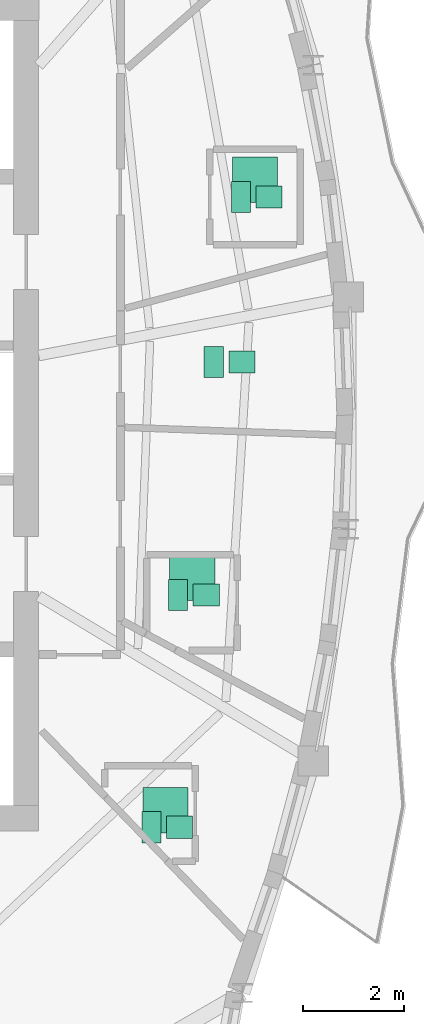
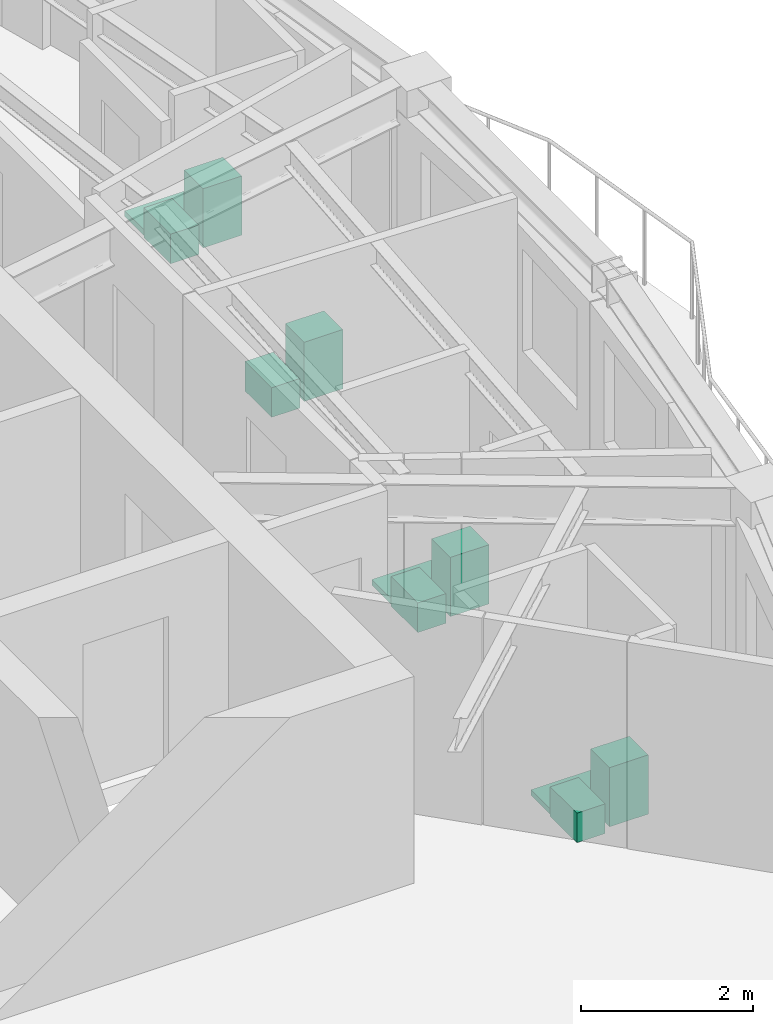
# One storey, part 14 of 14: 11 sanitary terminals.
"""IFC4 building model written with IfcOpenShell, lengths in metres."""

from ifc_helpers import new_model, si_unit, direction, frame, origin, origin_2d, place, context, subcontext, project, spatial, rectangle, extrude, source, transform, mapped, material, type_object, element, save


model = new_model("IFC4")

# Units and contexts
model_context = context("Model", 3, precision=1e-05, world=origin(), true_north=direction((0.0, 1.0)))
body_context = subcontext(model_context, "Body", "Model", "MODEL_VIEW")
ifc_project = project(units=[si_unit("LENGTHUNIT", "METRE"), si_unit("AREAUNIT", "SQUARE_METRE"), si_unit("VOLUMEUNIT", "CUBIC_METRE"), si_unit("PLANEANGLEUNIT", "RADIAN"), si_unit("MASSUNIT", "GRAM", prefix="KILO")], contexts=[model_context])

# Site, building, storey
site_placement = place(None, origin())
site = spatial("IfcSite", under=ifc_project, at=site_placement, CompositionType="ELEMENT")
building_placement = place(site_placement, origin())
building = spatial("IfcBuilding", under=site, at=building_placement, Name="Qafzar Sky-Pleat Residences", CompositionType="ELEMENT")
storey_placement = place(building_placement, frame((0.0, 0.0, 208.39990234375)))
storey = spatial("IfcBuildingStorey", under=building, at=storey_placement, Name="L62", CompositionType="ELEMENT", Elevation=208.39990234375)

# Sanitary terminals
ifc_material_1 = material(Name="Vitreous china sanitaryware")
sanitary_terminal_type_1 = type_object("IfcSanitaryTerminalType", Name="SAN-WC-PAN", PredefinedType="TOILETPAN", material=ifc_material_1)
shared_shape_1 = source(origin(), body_context, "Body", "SweptSolid", [
    extrude(rectangle(XDim=0.3798828125, YDim=0.6201171875, at=origin_2d()), origin(), (0.0, 0.0, 1.0), 0.419921875),
])
for number, where, z_axis, x_axis, name in (
    (1, (38.638916015625, 17.7705078125, 0.000244140625), (0.0, 0.0, 1.0), (1.0, 0.0, 0.0), "L62 En-suite Bathroom 1 WC Pan"),
    (2, (39.1669921875, 22.385498046875, 0.000244140625), (0.0, 0.0, 1.0), (1.0, 0.0, 0.0), "L62 En-suite Bathroom 2 WC Pan"),
    (3, (39.87646484375, 27.011474609375, 0.000244140625), (0.0, 0.0, 1.0), (1.0, 0.0, 0.0), "L62 Accessible Shared Washroom WC Pan"),
    (4, (40.4150390625, 30.2939453125, 0.000244140625), (0.0, 0.0, 1.0), (1.0, 0.0, 0.0), "L62 En-suite Bathroom 3 WC Pan"),
):
    element("IfcSanitaryTerminal", number, at=place(storey_placement, frame(where, z_axis=z_axis, x_axis=x_axis)), inside=storey, type_object=sanitary_terminal_type_1, Name=name, PredefinedType="TOILETPAN", context=body_context, shape_type="MappedRepresentation", body=[
        mapped(shared_shape_1, transform((0.0, 0.0, 0.0), x_axis=(1.0, 0.0, 0.0), y_axis=(0.0, 1.0, 0.0), z_axis=(0.0, 0.0, 1.0), scale=1.0)),
    ])
sanitary_terminal_type_2 = type_object("IfcSanitaryTerminalType", Name="SAN-BASIN", PredefinedType="WASHHANDBASIN", material=ifc_material_1)
shared_shape_2 = source(origin(), body_context, "Body", "SweptSolid", [
    extrude(rectangle(XDim=0.52001953125, YDim=0.43994140625, at=origin_2d()), origin(), (0.0, 0.0, 1.0), 0.840087890625),
])
for number, where, z_axis, x_axis, name in (
    (5, (39.198974609375, 17.7705078125, 0.0), (0.0, 0.0, 1.0), (1.0, 0.0, 0.0), "L62 En-suite Bathroom 1 Pedestal Washbasin"),
    (6, (39.72705078125, 22.385498046875, 0.0), (0.0, 0.0, 1.0), (1.0, 0.0, 0.0), "L62 En-suite Bathroom 2 Pedestal Washbasin"),
    (7, (40.4365234375, 27.011474609375, 0.0), (0.0, 0.0, 1.0), (1.0, 0.0, 0.0), "L62 Accessible Shared Washroom Pedestal Washbasin"),
    (8, (40.97509765625, 30.2939453125, 0.0), (0.0, 0.0, 1.0), (1.0, 0.0, 0.0), "L62 En-suite Bathroom 3 Pedestal Washbasin"),
):
    element("IfcSanitaryTerminal", number, at=place(storey_placement, frame(where, z_axis=z_axis, x_axis=x_axis)), inside=storey, type_object=sanitary_terminal_type_2, Name=name, PredefinedType="WASHHANDBASIN", context=body_context, shape_type="MappedRepresentation", body=[
        mapped(shared_shape_2, transform((0.0, 0.0, 0.0), x_axis=(1.0, 0.0, 0.0), y_axis=(0.0, 1.0, 0.0), z_axis=(0.0, 0.0, 1.0), scale=1.0)),
    ])
ifc_material_2 = material(Name="Vitreous china and acrylic tray")
sanitary_terminal_type_3 = type_object("IfcSanitaryTerminalType", Name="SAN-SHOWER", PredefinedType="SHOWER", material=ifc_material_2)
shared_shape_3 = source(origin(), body_context, "Body", "SweptSolid", [
    extrude(rectangle(XDim=0.89990234375, YDim=0.89990234375, at=origin_2d()), origin(), (0.0, 0.0, 1.0), 0.080078125),
])
for number, where, z_axis, x_axis, name in (
    (9, (38.9189453125, 18.110595703125, 0.0), (0.0, 0.0, 1.0), (1.0, 0.0, 0.0), "L62 En-suite Bathroom 1 Walk-In Shower"),
    (10, (39.447021484375, 22.7255859375, 0.0), (0.0, 0.0, 1.0), (1.0, 0.0, 0.0), "L62 En-suite Bathroom 2 Walk-In Shower"),
    (11, (40.695068359375, 30.634033203125, 0.0), (0.0, 0.0, 1.0), (1.0, 0.0, 0.0), "L62 En-suite Bathroom 3 Walk-In Shower"),
):
    element("IfcSanitaryTerminal", number, at=place(storey_placement, frame(where, z_axis=z_axis, x_axis=x_axis)), inside=storey, type_object=sanitary_terminal_type_3, Name=name, PredefinedType="SHOWER", context=body_context, shape_type="MappedRepresentation", body=[
        mapped(shared_shape_3, transform((0.0, 0.0, 0.0), x_axis=(1.0, 0.0, 0.0), y_axis=(0.0, 1.0, 0.0), z_axis=(0.0, 0.0, 1.0), scale=1.0)),
    ])

save(model, "model.ifc")
